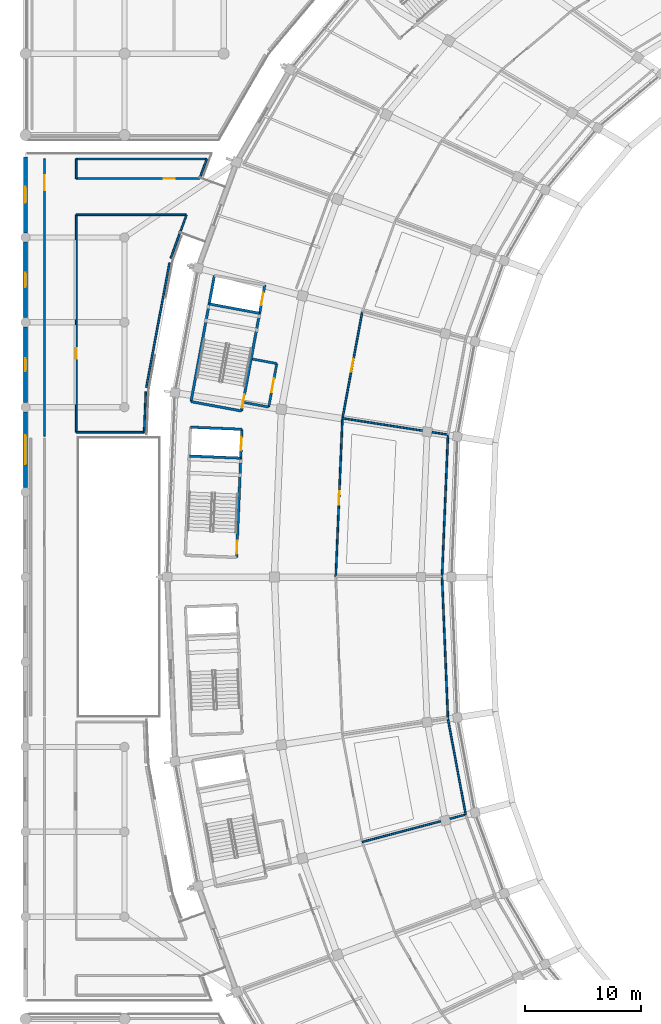
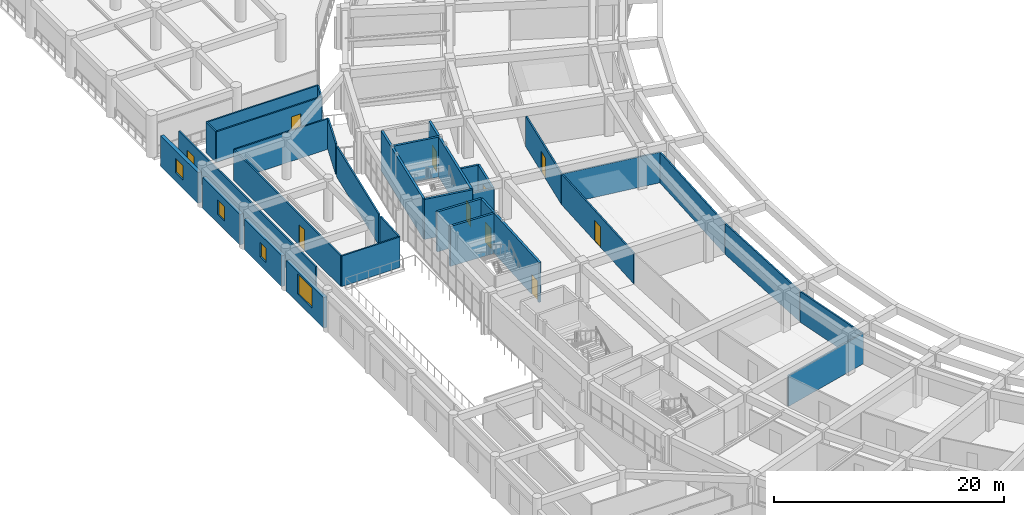
# One storey, part 98 of 145: 32 walls, 10 doors, 4 windows, 14 openings.
"""IFC4 building model written with IfcOpenShell, lengths in metres."""

from ifc_helpers import new_model, si_unit, direction, frame, frame_2d, origin, place, context, subcontext, project, spatial, rectangle, extrude, material, layer, layer_set, type_object, element, fill, save


model = new_model("IFC4")

# Units and contexts
model_context = context("Model", 3, precision=1e-05, world=origin(), true_north=direction((0.0, 1.0)))
body_context = subcontext(model_context, "Body", "Model", "MODEL_VIEW")
ifc_project = project(units=[si_unit("LENGTHUNIT", "METRE"), si_unit("AREAUNIT", "SQUARE_METRE"), si_unit("VOLUMEUNIT", "CUBIC_METRE"), si_unit("PLANEANGLEUNIT", "RADIAN"), si_unit("MASSUNIT", "GRAM", prefix="KILO")], contexts=[model_context])

# Site, building, storey
site_placement = place(None, origin())
site = spatial("IfcSite", under=ifc_project, at=site_placement, CompositionType="ELEMENT")
building_placement = place(site_placement, origin())
building = spatial("IfcBuilding", under=site, at=building_placement, Name="Mphavela Belvedere Stadium", CompositionType="ELEMENT")
storey_placement = place(building_placement, frame((0.0, 0.0, 10.199951171875)))
storey = spatial("IfcBuildingStorey", under=building, at=storey_placement, Name="L02", CompositionType="ELEMENT", Elevation=10.199951171875)

# Walls
ifc_material_1 = material(Name="Concrete C40/50", Category="concrete")
ifc_layer_1 = layer(ifc_material_1, 0.219970703125)
ifc_layer_set_1 = layer_set([ifc_layer_1], Name="Concrete C40/50")
wall_type_1 = type_object("IfcWallType", Name="WAL-CORE-SHEAR-220", PredefinedType="SHEAR", material=ifc_layer_set_1)
wall_1_placement = place(storey_placement, frame((14.228271484375, 102.085205078125, 0.0), z_axis=(0.0, 0.0, 1.0), x_axis=(0.182574755222, 0.983191974517, 0.0)))
element("IfcWall", 1, at=wall_1_placement, inside=storey, type_object=wall_type_1, Name="Core C06 shear wall L02 rear", PredefinedType="SHEAR", context=body_context, shape_type="SweptSolid", body=[
    extrude(rectangle(XDim=11.02001953125, YDim=0.219970703125, at=frame_2d((5.510009765625, 0.0))), origin(), (0.0, 0.0, 1.0), 4.25),
])
wall_2_placement = place(storey_placement, frame((18.56396484375, 101.27978515625, 0.0), z_axis=(0.0, 0.0, 1.0), x_axis=(-0.983179789985, 0.182640358532, 0.0)))
element("IfcWall", 2, at=wall_2_placement, inside=storey, type_object=wall_type_1, Name="Core C06 shear wall L02 left", PredefinedType="SHEAR", context=body_context, shape_type="SweptSolid", body=[
    extrude(rectangle(XDim=4.409912109375, YDim=0.219970703125, at=frame_2d((2.205078125, 0.0))), origin(), (0.0, 0.0, 1.0), 4.25),
])

# Wall, openings, doors
wall_3_placement = place(storey_placement, frame((18.56396484375, 101.27978515625, 0.0), z_axis=(0.0, 0.0, 1.0), x_axis=(0.182570778451, 0.983192712979, 0.0)))
wall_3 = element("IfcWall", 3, at=wall_3_placement, inside=storey, type_object=wall_type_1, Name="Core C06 shear wall L02 front", PredefinedType="SHEAR", context=body_context, shape_type="SweptSolid", body=[
    extrude(rectangle(XDim=11.020263671875, YDim=0.219970703125, at=frame_2d((5.51025390625, 0.0))), origin(), (0.0, 0.0, 1.0), 4.25),
])
opening_1_placement = place(wall_3_placement, frame((0.300048828125, 0.0, 0.0)))
opening_1 = element("IfcOpeningElement", 4, at=opening_1_placement, cuts=wall_3, Name="Opening SD-029", PredefinedType="OPENING", context=body_context, shape_type="SweptSolid", body=[
    extrude(rectangle(XDim=1.14990234375, YDim=2.14990234375, at=frame_2d((0.574951171875, 1.074951171875))), frame((0.0, 0.1201171875, 0.0), z_axis=(0.0, -1.0, 0.0), x_axis=(1.0, 0.0, 0.0)), (0.0, 0.0, 1.0), 0.239990234375),
])
opening_2_placement = place(wall_3_placement, frame((9.22998046875, 0.0, 0.0)))
opening_2 = element("IfcOpeningElement", 5, at=opening_2_placement, cuts=wall_3, Name="Opening LD-029", PredefinedType="OPENING", context=body_context, shape_type="SweptSolid", body=[
    extrude(rectangle(XDim=1.10009765625, YDim=2.14990234375, at=frame_2d((0.550048828125, 1.074951171875))), frame((0.0, 0.1201171875, 0.0), z_axis=(0.0, -1.0, 0.0), x_axis=(1.0, 0.0, 0.0)), (0.0, 0.0, 1.0), 0.239990234375),
])
ifc_material_2 = material(Name="Stainless steel center-parting lift landing door", Category="steel")
door_type_1 = type_object("IfcDoorType", Name="DR-LIFT-SLIDE-1100", OperationType="NOTDEFINED", PredefinedType="DOOR", material=ifc_material_2)
door_1_placement = place(opening_2_placement, origin())
door_1 = element("IfcDoor", 6, at=door_1_placement, inside=storey, type_object=door_type_1, Name="Lift landing sliding door FL03 L02", OperationType="DOUBLE_DOOR_SLIDING", OverallHeight=2.14990234375, OverallWidth=1.10009765625, PredefinedType="DOOR", context=body_context, shape_type="SweptSolid", body=[
    extrude(rectangle(XDim=1.10009765625, YDim=2.14990234375, at=frame_2d((0.550048828125, 1.074951171875))), frame((0.0, 0.02490234375, 0.0), z_axis=(0.0, -1.0, 0.0), x_axis=(1.0, 0.0, 0.0)), (0.0, 0.0, 1.0), 0.050048828125),
])
fill(opening_2, door_1)
ifc_material_3 = material(Name="Steel acoustic fire-resisting stair doorset", Category="steel")
door_type_2 = type_object("IfcDoorType", Name="DR-STAIR-FIRE-1150", OperationType="NOTDEFINED", PredefinedType="DOOR", material=ifc_material_3)
door_2_placement = place(opening_1_placement, origin())
door_2 = element("IfcDoor", 7, at=door_2_placement, inside=storey, type_object=door_type_2, Name="Escape stair fire door C06 L02", OperationType="SINGLE_SWING_LEFT", OverallHeight=2.14990234375, OverallWidth=1.14990234375, PredefinedType="DOOR", context=body_context, shape_type="SweptSolid", body=[
    extrude(rectangle(XDim=1.14990234375, YDim=2.14990234375, at=frame_2d((0.574951171875, 1.074951171875))), frame((0.0, 0.02490234375, 0.0), z_axis=(0.0, -1.0, 0.0), x_axis=(1.0, 0.0, 0.0)), (0.0, 0.0, 1.0), 0.050048828125),
])
fill(opening_1, door_2)

# Walls
for number, where, z_axis, x_axis, name in (
    (8, (20.123291015625, 109.676513671875, 0.0), (0.0, 0.0, 1.0), (-0.983201511677, 0.182523388739, 0.0), "Core C06 shear wall L02 div"),
    (9, (18.60498046875, 99.701171875, 0.0), (0.0, 0.0, 1.0), (-0.999123741114, 0.041853911912, 0.0), "Core C07 shear wall L02 right"),
):
    element("IfcWall", number, at=place(storey_placement, frame(where, z_axis=z_axis, x_axis=x_axis)), inside=storey, type_object=wall_type_1, Name=name, PredefinedType="SHEAR", context=body_context, shape_type="SweptSolid", body=[
        extrude(rectangle(XDim=4.409912109375, YDim=0.219970703125, at=frame_2d((2.205078125, 0.0))), origin(), (0.0, 0.0, 1.0), 4.25),
    ])

# Wall, openings, doors
wall_4_placement = place(storey_placement, frame((18.143798828125, 88.69091796875, 0.0), z_axis=(0.0, 0.0, 1.0), x_axis=(0.0418498618, 0.999123910768, 0.0)))
wall_4 = element("IfcWall", 10, at=wall_4_placement, inside=storey, type_object=wall_type_1, Name="Core C07 shear wall L02 front", PredefinedType="SHEAR", context=body_context, shape_type="SweptSolid", body=[
    extrude(rectangle(XDim=11.02001953125, YDim=0.219970703125, at=frame_2d((5.510009765625, 0.0))), origin(), (0.0, 0.0, 1.0), 4.25),
])
opening_3_placement = place(wall_4_placement, frame((0.300048828125, 0.0, 0.0)))
opening_3 = element("IfcOpeningElement", 11, at=opening_3_placement, cuts=wall_4, Name="Opening SD-035", PredefinedType="OPENING", context=body_context, shape_type="SweptSolid", body=[
    extrude(rectangle(XDim=1.14990234375, YDim=2.14990234375, at=frame_2d((0.574951171875, 1.074951171875))), frame((0.0, 0.1201171875, 0.0), z_axis=(0.0, -1.0, 0.0), x_axis=(1.0, 0.0, 0.0)), (0.0, 0.0, 1.0), 0.239990234375),
])
opening_4_placement = place(wall_4_placement, frame((9.22998046875, 0.0, 0.0)))
opening_4 = element("IfcOpeningElement", 12, at=opening_4_placement, cuts=wall_4, Name="Opening LD-035", PredefinedType="OPENING", context=body_context, shape_type="SweptSolid", body=[
    extrude(rectangle(XDim=1.10009765625, YDim=2.14990234375, at=frame_2d((0.550048828125, 1.074951171875))), frame((0.0, 0.1201171875, 0.0), z_axis=(0.0, -1.0, 0.0), x_axis=(1.0, 0.0, 0.0)), (0.0, 0.0, 1.0), 0.239990234375),
])
door_3_placement = place(opening_4_placement, origin())
door_3 = element("IfcDoor", 13, at=door_3_placement, inside=storey, type_object=door_type_1, Name="Lift landing sliding door PL03 L02", OperationType="DOUBLE_DOOR_SLIDING", OverallHeight=2.14990234375, OverallWidth=1.10009765625, PredefinedType="DOOR", context=body_context, shape_type="SweptSolid", body=[
    extrude(rectangle(XDim=1.10009765625, YDim=2.14990234375, at=frame_2d((0.550048828125, 1.074951171875))), frame((0.0, 0.02490234375, 0.0), z_axis=(0.0, -1.0, 0.0), x_axis=(1.0, 0.0, 0.0)), (0.0, 0.0, 1.0), 0.050048828125),
])
fill(opening_4, door_3)
door_4_placement = place(opening_3_placement, origin())
door_4 = element("IfcDoor", 14, at=door_4_placement, inside=storey, type_object=door_type_2, Name="Escape stair fire door C07 L02", OperationType="SINGLE_SWING_LEFT", OverallHeight=2.14990234375, OverallWidth=1.14990234375, PredefinedType="DOOR", context=body_context, shape_type="SweptSolid", body=[
    extrude(rectangle(XDim=1.14990234375, YDim=2.14990234375, at=frame_2d((0.574951171875, 1.074951171875))), frame((0.0, 0.02490234375, 0.0), z_axis=(0.0, -1.0, 0.0), x_axis=(1.0, 0.0, 0.0)), (0.0, 0.0, 1.0), 0.050048828125),
])
fill(opening_3, door_4)

# Wall
wall_5_placement = place(storey_placement, frame((18.501220703125, 97.223388671875, 0.0), z_axis=(0.0, 0.0, 1.0), x_axis=(-0.999123741114, 0.041853911912, 0.0)))
element("IfcWall", 15, at=wall_5_placement, inside=storey, type_object=wall_type_1, Name="Core C07 shear wall L02 div", PredefinedType="SHEAR", context=body_context, shape_type="SweptSolid", body=[
    extrude(rectangle(XDim=4.409912109375, YDim=0.219970703125, at=frame_2d((2.205078125, 0.0))), origin(), (0.0, 0.0, 1.0), 4.25),
])

# Wall, opening, window
ifc_material_4 = material(Name="Honed ashlar limestone masonry", Category="masonry")
ifc_layer_2 = layer(ifc_material_4, 0.35009765625)
ifc_layer_set_2 = layer_set([ifc_layer_2], Name="Honed ashlar limestone masonry")
wall_type_2 = type_object("IfcWallType", Name="WAL-EXT-ASHLAR-350", PredefinedType="STANDARD", material=ifc_layer_set_2)
wall_6_placement = place(storey_placement, frame((0.0, 94.697998046875, 0.0), z_axis=(0.0, 0.0, 1.0), x_axis=(0.0, 1.0, 0.0)))
wall_6 = element("IfcWall", 16, at=wall_6_placement, inside=storey, type_object=wall_type_2, Name="West Planted Eaves Peristyle Colonnade outer facade bay L02-07", PredefinedType="STANDARD", context=body_context, shape_type="SweptSolid", body=[
    extrude(rectangle(XDim=6.50390625, YDim=0.35009765625, at=frame_2d((3.251953125, 0.0))), origin(), (0.0, 0.0, 1.0), 3.260009765625),
])
opening_5_placement = place(wall_6_placement, frame((1.991943359375, 0.0, 0.89990234375)))
opening_5 = element("IfcOpeningElement", 17, at=opening_5_placement, cuts=wall_6, Name="Opening W-264", PredefinedType="OPENING", context=body_context, shape_type="SweptSolid", body=[
    extrude(rectangle(XDim=2.52001953125, YDim=2.14990234375, at=frame_2d((1.260009765625, 1.074951171875))), frame((0.0, 0.18505859375, 0.0), z_axis=(0.0, -1.0, 0.0), x_axis=(1.0, 0.0, 0.0)), (0.0, 0.0, 1.0), 0.3701171875),
])
ifc_material_5 = material(Name="Bronze-anodised thermally broken aluminium window", Category="aluminium")
window_type_1 = type_object("IfcWindowType", Name="WIN-EXT-44", PartitioningType="SINGLE_PANEL", PredefinedType="WINDOW", material=ifc_material_5)
window_1_placement = place(opening_5_placement, origin())
window_1 = element("IfcWindow", 18, at=window_1_placement, inside=storey, type_object=window_type_1, Name="West Planted Eaves Peristyle Colonnade classical window W-264", OverallHeight=2.14990234375, OverallWidth=2.52001953125, PartitioningType="SINGLE_PANEL", PredefinedType="WINDOW", context=body_context, shape_type="SweptSolid", body=[
    extrude(rectangle(XDim=2.52001953125, YDim=2.14990234375, at=frame_2d((1.260009765625, 1.074951171875))), frame((0.0, 0.030029296875, 0.0), z_axis=(0.0, -1.0, 0.0), x_axis=(1.0, 0.0, 0.0)), (0.0, 0.0, 1.0), 0.06005859375),
])
fill(opening_5, window_1)

wall_7_placement = place(storey_placement, frame((0.0, 101.998046875, 0.0), z_axis=(0.0, 0.0, 1.0), x_axis=(0.0, 1.0, 0.0)))
wall_7 = element("IfcWall", 19, at=wall_7_placement, inside=storey, type_object=wall_type_2, Name="West Planted Eaves Peristyle Colonnade outer facade bay L02-08", PredefinedType="STANDARD", context=body_context, shape_type="SweptSolid", body=[
    extrude(rectangle(XDim=6.50390625, YDim=0.35009765625, at=frame_2d((3.251953125, 0.0))), origin(), (0.0, 0.0, 1.0), 3.260009765625),
])
opening_6_placement = place(wall_7_placement, frame((2.701904296875, 0.0, 0.89990234375)))
opening_6 = element("IfcOpeningElement", 20, at=opening_6_placement, cuts=wall_7, Name="Opening W-265", PredefinedType="OPENING", context=body_context, shape_type="SweptSolid", body=[
    extrude(rectangle(XDim=1.10009765625, YDim=1.550048828125, at=frame_2d((0.550048828125, 0.77490234375))), frame((0.0, 0.18505859375, 0.0), z_axis=(0.0, -1.0, 0.0), x_axis=(1.0, 0.0, 0.0)), (0.0, 0.0, 1.0), 0.3701171875),
])
ifc_material_6 = material(Name="Bronze-anodised thermally broken aluminium window", Category="aluminium")
window_type_2 = type_object("IfcWindowType", Name="WIN-EXT-01", PartitioningType="SINGLE_PANEL", PredefinedType="WINDOW", material=ifc_material_6)
window_2_placement = place(opening_6_placement, origin())
window_2 = element("IfcWindow", 21, at=window_2_placement, inside=storey, type_object=window_type_2, Name="West Planted Eaves Peristyle Colonnade classical window W-265", OverallHeight=1.550048828125, OverallWidth=1.10009765625, PartitioningType="SINGLE_PANEL", PredefinedType="WINDOW", context=body_context, shape_type="SweptSolid", body=[
    extrude(rectangle(XDim=1.10009765625, YDim=1.550048828125, at=frame_2d((0.550048828125, 0.77490234375))), frame((0.0, 0.030029296875, 0.0), z_axis=(0.0, -1.0, 0.0), x_axis=(1.0, 0.0, 0.0)), (0.0, 0.0, 1.0), 0.06005859375),
])
fill(opening_6, window_2)

wall_8_placement = place(storey_placement, frame((0.0, 109.298095703125, 0.0), z_axis=(0.0, 0.0, 1.0), x_axis=(0.0, 1.0, 0.0)))
wall_8 = element("IfcWall", 22, at=wall_8_placement, inside=storey, type_object=wall_type_2, Name="West Planted Eaves Peristyle Colonnade outer facade bay L02-09", PredefinedType="STANDARD", context=body_context, shape_type="SweptSolid", body=[
    extrude(rectangle(XDim=6.50390625, YDim=0.35009765625, at=frame_2d((3.251953125, 0.0))), origin(), (0.0, 0.0, 1.0), 3.260009765625),
])
opening_7_placement = place(wall_8_placement, frame((2.632080078125, 0.0, 0.89990234375)))
opening_7 = element("IfcOpeningElement", 23, at=opening_7_placement, cuts=wall_8, Name="Opening W-266", PredefinedType="OPENING", context=body_context, shape_type="SweptSolid", body=[
    extrude(rectangle(XDim=1.239990234375, YDim=1.550048828125, at=frame_2d((0.6201171875, 0.77490234375))), frame((0.0, 0.18505859375, 0.0), z_axis=(0.0, -1.0, 0.0), x_axis=(1.0, 0.0, 0.0)), (0.0, 0.0, 1.0), 0.3701171875),
])
ifc_material_7 = material(Name="Bronze-anodised thermally broken aluminium window", Category="aluminium")
window_type_3 = type_object("IfcWindowType", Name="WIN-EXT-02", PartitioningType="SINGLE_PANEL", PredefinedType="WINDOW", material=ifc_material_7)
window_3_placement = place(opening_7_placement, origin())
window_3 = element("IfcWindow", 24, at=window_3_placement, inside=storey, type_object=window_type_3, Name="West Planted Eaves Peristyle Colonnade classical window W-266", OverallHeight=1.550048828125, OverallWidth=1.239990234375, PartitioningType="SINGLE_PANEL", PredefinedType="WINDOW", context=body_context, shape_type="SweptSolid", body=[
    extrude(rectangle(XDim=1.239990234375, YDim=1.550048828125, at=frame_2d((0.6201171875, 0.77490234375))), frame((0.0, 0.030029296875, 0.0), z_axis=(0.0, -1.0, 0.0), x_axis=(1.0, 0.0, 0.0)), (0.0, 0.0, 1.0), 0.06005859375),
])
fill(opening_7, window_3)

wall_9_placement = place(storey_placement, frame((0.0, 116.597900390625, 0.0), z_axis=(0.0, 0.0, 1.0), x_axis=(0.0, 1.0, 0.0)))
wall_9 = element("IfcWall", 25, at=wall_9_placement, inside=storey, type_object=wall_type_2, Name="West Planted Eaves Peristyle Colonnade outer facade bay L02-10", PredefinedType="STANDARD", context=body_context, shape_type="SweptSolid", body=[
    extrude(rectangle(XDim=6.504150390625, YDim=0.35009765625, at=frame_2d((3.251953125, 0.0))), origin(), (0.0, 0.0, 1.0), 3.260009765625),
])
opening_8_placement = place(wall_9_placement, frame((2.56201171875, 0.0, 0.89990234375)))
opening_8 = element("IfcOpeningElement", 26, at=opening_8_placement, cuts=wall_9, Name="Opening W-267", PredefinedType="OPENING", context=body_context, shape_type="SweptSolid", body=[
    extrude(rectangle(XDim=1.3798828125, YDim=1.550048828125, at=frame_2d((0.68994140625, 0.77490234375))), frame((0.0, 0.18505859375, 0.0), z_axis=(0.0, -1.0, 0.0), x_axis=(1.0, 0.0, 0.0)), (0.0, 0.0, 1.0), 0.3701171875),
])
ifc_material_8 = material(Name="Bronze-anodised thermally broken aluminium window", Category="aluminium")
window_type_4 = type_object("IfcWindowType", Name="WIN-EXT-03", PartitioningType="SINGLE_PANEL", PredefinedType="WINDOW", material=ifc_material_8)
window_4_placement = place(opening_8_placement, origin())
window_4 = element("IfcWindow", 27, at=window_4_placement, inside=storey, type_object=window_type_4, Name="West Planted Eaves Peristyle Colonnade classical window W-267", OverallHeight=1.550048828125, OverallWidth=1.3798828125, PartitioningType="SINGLE_PANEL", PredefinedType="WINDOW", context=body_context, shape_type="SweptSolid", body=[
    extrude(rectangle(XDim=1.3798828125, YDim=1.550048828125, at=frame_2d((0.68994140625, 0.77490234375))), frame((0.0, 0.030029296875, 0.0), z_axis=(0.0, -1.0, 0.0), x_axis=(1.0, 0.0, 0.0)), (0.0, 0.0, 1.0), 0.06005859375),
])
fill(opening_8, window_4)

# Wall, opening, door
ifc_material_9 = material(Name="Acoustic gypsum stud partition assembly")
ifc_layer_3 = layer(ifc_material_9, 0.14990234375)
ifc_layer_set_3 = layer_set([ifc_layer_3], Name="Acoustic gypsum stud partition assembly")
wall_type_3 = type_object("IfcWallType", Name="WAL-PART-150", PredefinedType="PARTITIONING", material=ifc_layer_set_3)
wall_10_placement = place(storey_placement, frame((27.251220703125, 100.65087890625, 0.0), z_axis=(0.0, 0.0, 1.0), x_axis=(0.182600545941, 0.983187184936, 0.0)))
wall_10 = element("IfcWall", 28, at=wall_10_placement, inside=storey, type_object=wall_type_3, Name="Room L02-92 corridor partition", PredefinedType="PARTITIONING", context=body_context, shape_type="SweptSolid", body=[
    extrude(rectangle(XDim=9.2841796875, YDim=0.14990234375, at=frame_2d((4.64208984375, 0.0))), origin(), (0.0, 0.0, 1.0), 3.25),
])
opening_9_placement = place(wall_10_placement, frame((4.072021484375, 0.0, 0.0)))
opening_9 = element("IfcOpeningElement", 29, at=opening_9_placement, cuts=wall_10, Name="Opening ID-199", PredefinedType="OPENING", context=body_context, shape_type="SweptSolid", body=[
    extrude(rectangle(XDim=1.139892578125, YDim=2.199951171875, at=frame_2d((0.56982421875, 1.10009765625))), frame((0.0, 0.0849609375, 0.0), z_axis=(0.0, -1.0, 0.0), x_axis=(1.0, 0.0, 0.0)), (0.0, 0.0, 1.0), 0.169921875),
])
ifc_material_10 = material(Name="Hardwood acoustic timber doorset", Category="wood")
door_type_3 = type_object("IfcDoorType", Name="DR-INT-19", OperationType="NOTDEFINED", PredefinedType="DOOR", material=ifc_material_10)
door_5_placement = place(opening_9_placement, origin())
door_5 = element("IfcDoor", 30, at=door_5_placement, inside=storey, type_object=door_type_3, Name="Room L02-92 entrance door ID-199", OperationType="SINGLE_SWING_LEFT", OverallHeight=2.199951171875, OverallWidth=1.139892578125, PredefinedType="DOOR", context=body_context, shape_type="SweptSolid", body=[
    extrude(rectangle(XDim=1.139892578125, YDim=2.199951171875, at=frame_2d((0.56982421875, 1.10009765625))), frame((0.0, 0.02490234375, 0.0), z_axis=(0.0, -1.0, 0.0), x_axis=(1.0, 0.0, 0.0)), (0.0, 0.0, 1.0), 0.050048828125),
])
fill(opening_9, door_5)

wall_11_placement = place(storey_placement, frame((26.6748046875, 87.0400390625, 0.0), z_axis=(0.0, 0.0, 1.0), x_axis=(0.041894479342, 0.999122040894, 0.0)))
wall_11 = element("IfcWall", 31, at=wall_11_placement, inside=storey, type_object=wall_type_3, Name="Room L02-94 corridor partition", PredefinedType="PARTITIONING", context=body_context, shape_type="SweptSolid", body=[
    extrude(rectangle(XDim=13.543212890625, YDim=0.14990234375, at=frame_2d((6.771484375, 0.0))), origin(), (0.0, 0.0, 1.0), 3.25),
])
opening_10_placement = place(wall_11_placement, frame((6.181640625, 0.0, 0.0)))
opening_10 = element("IfcOpeningElement", 32, at=opening_10_placement, cuts=wall_11, Name="Opening ID-200", PredefinedType="OPENING", context=body_context, shape_type="SweptSolid", body=[
    extrude(rectangle(XDim=1.179931640625, YDim=2.199951171875, at=frame_2d((0.58984375, 1.10009765625))), frame((0.0, 0.0849609375, 0.0), z_axis=(0.0, -1.0, 0.0), x_axis=(1.0, 0.0, 0.0)), (0.0, 0.0, 1.0), 0.169921875),
])
ifc_material_11 = material(Name="Hardwood acoustic timber doorset", Category="wood")
door_type_4 = type_object("IfcDoorType", Name="DR-INT-20", OperationType="NOTDEFINED", PredefinedType="DOOR", material=ifc_material_11)
door_6_placement = place(opening_10_placement, origin())
door_6 = element("IfcDoor", 33, at=door_6_placement, inside=storey, type_object=door_type_4, Name="Room L02-94 entrance door ID-200", OperationType="SINGLE_SWING_RIGHT", OverallHeight=2.199951171875, OverallWidth=1.179931640625, PredefinedType="DOOR", context=body_context, shape_type="SweptSolid", body=[
    extrude(rectangle(XDim=1.179931640625, YDim=2.199951171875, at=frame_2d((0.58984375, 1.10009765625))), frame((0.0, 0.02490234375, 0.0), z_axis=(0.0, -1.0, 0.0), x_axis=(1.0, 0.0, 0.0)), (0.0, 0.0, 1.0), 0.050048828125),
])
fill(opening_10, door_6)

wall_12_placement = place(storey_placement, frame((1.639892578125, 122.949951171875, 0.0), z_axis=(0.0, 0.0, 1.0), x_axis=(0.0, -1.0, 0.0)))
wall_12 = element("IfcWall", 34, at=wall_12_placement, inside=storey, type_object=wall_type_3, Name="Room L02-191 corridor partition", PredefinedType="PARTITIONING", context=body_context, shape_type="SweptSolid", body=[
    extrude(rectangle(XDim=23.833251953125, YDim=0.14990234375, at=frame_2d((11.91650390625, 0.0))), origin(), (0.0, 0.0, 1.0), 3.25),
])
opening_11_placement = place(wall_12_placement, frame((1.416748046875, 0.0, 0.0)))
opening_11 = element("IfcOpeningElement", 35, at=opening_11_placement, cuts=wall_12, Name="Opening ID-514", PredefinedType="OPENING", context=body_context, shape_type="SweptSolid", body=[
    extrude(rectangle(XDim=1.260009765625, YDim=2.10009765625, at=frame_2d((0.6298828125, 1.050048828125))), frame((0.0, 0.0849609375, 0.0), z_axis=(0.0, -1.0, 0.0), x_axis=(1.0, 0.0, 0.0)), (0.0, 0.0, 1.0), 0.169921875),
])
ifc_material_12 = material(Name="Hardwood acoustic timber doorset", Category="wood")
door_type_5 = type_object("IfcDoorType", Name="DR-INT-10", OperationType="NOTDEFINED", PredefinedType="DOOR", material=ifc_material_12)
door_7_placement = place(opening_11_placement, origin())
door_7 = element("IfcDoor", 36, at=door_7_placement, inside=storey, type_object=door_type_5, Name="Room L02-191 entrance door ID-514", OperationType="SINGLE_SWING_RIGHT", OverallHeight=2.10009765625, OverallWidth=1.260009765625, PredefinedType="DOOR", context=body_context, shape_type="SweptSolid", body=[
    extrude(rectangle(XDim=1.260009765625, YDim=2.10009765625, at=frame_2d((0.6298828125, 1.050048828125))), frame((0.0, 0.02490234375, 0.0), z_axis=(0.0, -1.0, 0.0), x_axis=(1.0, 0.0, 0.0)), (0.0, 0.0, 1.0), 0.050048828125),
])
fill(opening_11, door_7)

wall_13_placement = place(storey_placement, frame((4.360107421875, 99.449951171875, 0.0), z_axis=(0.0, 0.0, 1.0), x_axis=(0.0, 1.0, 0.0)))
wall_13 = element("IfcWall", 37, at=wall_13_placement, inside=storey, type_object=wall_type_3, Name="Room L02-194 corridor partition", PredefinedType="PARTITIONING", context=body_context, shape_type="SweptSolid", body=[
    extrude(rectangle(XDim=18.68994140625, YDim=0.14990234375, at=frame_2d((9.344970703125, 0.0))), origin(), (0.0, 0.0, 1.0), 3.25),
])
opening_12_placement = place(wall_13_placement, frame((6.322509765625, 0.0, 0.0)))
opening_12 = element("IfcOpeningElement", 38, at=opening_12_placement, cuts=wall_13, Name="Opening ID-517", PredefinedType="OPENING", context=body_context, shape_type="SweptSolid", body=[
    extrude(rectangle(XDim=0.89990234375, YDim=2.199951171875, at=frame_2d((0.449951171875, 1.10009765625))), frame((0.0, 0.0849609375, 0.0), z_axis=(0.0, -1.0, 0.0), x_axis=(1.0, 0.0, 0.0)), (0.0, 0.0, 1.0), 0.169921875),
])
ifc_material_13 = material(Name="Hardwood acoustic timber doorset", Category="wood")
door_type_6 = type_object("IfcDoorType", Name="DR-INT-13", OperationType="NOTDEFINED", PredefinedType="DOOR", material=ifc_material_13)
door_8_placement = place(opening_12_placement, origin())
door_8 = element("IfcDoor", 39, at=door_8_placement, inside=storey, type_object=door_type_6, Name="Room L02-194 entrance door ID-517", OperationType="SINGLE_SWING_LEFT", OverallHeight=2.199951171875, OverallWidth=0.89990234375, PredefinedType="DOOR", context=body_context, shape_type="SweptSolid", body=[
    extrude(rectangle(XDim=0.89990234375, YDim=2.199951171875, at=frame_2d((0.449951171875, 1.10009765625))), frame((0.0, 0.02490234375, 0.0), z_axis=(0.0, -1.0, 0.0), x_axis=(1.0, 0.0, 0.0)), (0.0, 0.0, 1.0), 0.050048828125),
])
fill(opening_12, door_8)

wall_14_placement = place(storey_placement, frame((14.968505859375, 121.260009765625, 0.0), z_axis=(0.0, 0.0, 1.0), x_axis=(-1.0, 0.0, 0.0)))
wall_14 = element("IfcWall", 40, at=wall_14_placement, inside=storey, type_object=wall_type_3, Name="Room L02-195 corridor partition", PredefinedType="PARTITIONING", context=body_context, shape_type="SweptSolid", body=[
    extrude(rectangle(XDim=10.6083984375, YDim=0.14990234375, at=frame_2d((5.30419921875, 0.0))), origin(), (0.0, 0.0, 1.0), 3.25),
])
opening_13_placement = place(wall_14_placement, frame((2.125732421875, 0.0, 0.0)))
opening_13 = element("IfcOpeningElement", 41, at=opening_13_placement, cuts=wall_14, Name="Opening ID-518", PredefinedType="OPENING", context=body_context, shape_type="SweptSolid", body=[
    extrude(rectangle(XDim=0.93994140625, YDim=2.199951171875, at=frame_2d((0.469970703125, 1.10009765625))), frame((0.0, 0.0849609375, 0.0), z_axis=(0.0, -1.0, 0.0), x_axis=(1.0, 0.0, 0.0)), (0.0, 0.0, 1.0), 0.169921875),
])
ifc_material_14 = material(Name="Hardwood acoustic timber doorset", Category="wood")
door_type_7 = type_object("IfcDoorType", Name="DR-INT-14", OperationType="NOTDEFINED", PredefinedType="DOOR", material=ifc_material_14)
door_9_placement = place(opening_13_placement, origin())
door_9 = element("IfcDoor", 42, at=door_9_placement, inside=storey, type_object=door_type_7, Name="Room L02-195 entrance door ID-518", OperationType="SINGLE_SWING_RIGHT", OverallHeight=2.199951171875, OverallWidth=0.93994140625, PredefinedType="DOOR", context=body_context, shape_type="SweptSolid", body=[
    extrude(rectangle(XDim=0.93994140625, YDim=2.199951171875, at=frame_2d((0.469970703125, 1.10009765625))), frame((0.0, 0.02490234375, 0.0), z_axis=(0.0, -1.0, 0.0), x_axis=(1.0, 0.0, 0.0)), (0.0, 0.0, 1.0), 0.050048828125),
])
fill(opening_13, door_9)

# Walls
wall_15_placement = place(storey_placement, frame((36.327392578125, 99.2431640625, 0.0), z_axis=(0.0, 0.0, 1.0), x_axis=(-0.988184734008, 0.15326751604, 0.0)))
element("IfcWall", 43, at=wall_15_placement, inside=storey, type_object=wall_type_3, Name="Room divider partition L02-0356", PredefinedType="PARTITIONING", context=body_context, shape_type="SweptSolid", body=[
    extrude(rectangle(XDim=9.1845703125, YDim=0.14990234375, at=frame_2d((4.59228515625, 0.0))), origin(), (0.0, 0.0, 1.0), 3.25),
])
for number, where, z_axis, x_axis, name in (
    (44, (36.318115234375, 99.163818359375, 0.0), (0.0, 0.0, 1.0), (-0.041909219346, -0.999121422718, 0.0), "Room divider partition L02-0357"),
    (45, (35.8095703125, 86.9599609375, 0.0), (0.0, 0.0, 1.0), (0.041909219346, -0.999121422718, 0.0), "Room divider partition L02-0359"),
):
    element("IfcWall", number, at=place(storey_placement, frame(where, z_axis=z_axis, x_axis=x_axis)), inside=storey, type_object=wall_type_3, Name=name, PredefinedType="PARTITIONING", context=body_context, shape_type="SweptSolid", body=[
        extrude(rectangle(XDim=12.134521484375, YDim=0.14990234375, at=frame_2d((6.0673828125, 0.0))), origin(), (0.0, 0.0, 1.0), 3.25),
    ])
wall_16_placement = place(storey_placement, frame((36.327392578125, 74.7568359375, 0.0), z_axis=(0.0, 0.0, 1.0), x_axis=(0.182614898171, -0.983184519287, 0.0)))
element("IfcWall", 46, at=wall_16_placement, inside=storey, type_object=wall_type_3, Name="Room divider partition L02-0361", PredefinedType="PARTITIONING", context=body_context, shape_type="SweptSolid", body=[
    extrude(rectangle(XDim=8.315673828125, YDim=0.14990234375, at=frame_2d((4.15771484375, 0.0))), origin(), (0.0, 0.0, 1.0), 3.25),
])
wall_17_placement = place(storey_placement, frame((37.845947265625, 66.5810546875, 0.0), z_axis=(0.0, 0.0, 1.0), x_axis=(-0.96658744027, -0.256337122383, 0.0)))
element("IfcWall", 47, at=wall_17_placement, inside=storey, type_object=wall_type_3, Name="Room divider partition L02-0362", PredefinedType="PARTITIONING", context=body_context, shape_type="SweptSolid", body=[
    extrude(rectangle(XDim=9.20703125, YDim=0.14990234375, at=frame_2d((4.603515625, 0.0))), origin(), (0.0, 0.0, 1.0), 3.25),
])
wall_18_placement = place(storey_placement, frame((12.37744140625, 114.01904296875, 0.0), z_axis=(0.0, 0.0, 1.0), x_axis=(-0.182620957058, -0.983183393901, 0.0)))
element("IfcWall", 48, at=wall_18_placement, inside=storey, type_object=wall_type_3, Name="Room divider partition L02-1176", PredefinedType="PARTITIONING", context=body_context, shape_type="SweptSolid", body=[
    extrude(rectangle(XDim=10.90087890625, YDim=0.14990234375, at=frame_2d((5.450439453125, 0.0))), origin(), (0.0, 0.0, 1.0), 3.25),
])
wall_19_placement = place(storey_placement, frame((10.3466796875, 102.94970703125, 0.0), z_axis=(0.0, 0.0, 1.0), x_axis=(-0.041888559174, -0.999122289117, 0.0)))
element("IfcWall", 49, at=wall_19_placement, inside=storey, type_object=wall_type_3, Name="Room divider partition L02-1177", PredefinedType="PARTITIONING", context=body_context, shape_type="SweptSolid", body=[
    extrude(rectangle(XDim=3.5029296875, YDim=0.14990234375, at=frame_2d((1.75146484375, 0.0))), origin(), (0.0, 0.0, 1.0), 3.25),
])
wall_20_placement = place(storey_placement, frame((10.199951171875, 99.449951171875, 0.0), z_axis=(0.0, 0.0, 1.0), x_axis=(-1.0, 0.0, 0.0)))
element("IfcWall", 50, at=wall_20_placement, inside=storey, type_object=wall_type_3, Name="Room divider partition L02-1178", PredefinedType="PARTITIONING", context=body_context, shape_type="SweptSolid", body=[
    extrude(rectangle(XDim=5.83984375, YDim=0.14990234375, at=frame_2d((2.919921875, 0.0))), origin(), (0.0, 0.0, 1.0), 3.25),
])
wall_21_placement = place(storey_placement, frame((4.360107421875, 118.139892578125, 0.0), z_axis=(0.0, 0.0, 1.0), x_axis=(1.0, 0.0, 0.0)))
element("IfcWall", 51, at=wall_21_placement, inside=storey, type_object=wall_type_3, Name="Room divider partition L02-1179", PredefinedType="PARTITIONING", context=body_context, shape_type="SweptSolid", body=[
    extrude(rectangle(XDim=9.4765625, YDim=0.14990234375, at=frame_2d((4.73828125, 0.0))), origin(), (0.0, 0.0, 1.0), 3.25),
])
wall_22_placement = place(storey_placement, frame((13.836669921875, 118.139892578125, 0.0), z_axis=(0.0, 0.0, 1.0), x_axis=(-0.341035525383, -0.94005040845, 0.0)))
element("IfcWall", 52, at=wall_22_placement, inside=storey, type_object=wall_type_3, Name="Room divider partition L02-1180", PredefinedType="PARTITIONING", context=body_context, shape_type="SweptSolid", body=[
    extrude(rectangle(XDim=3.96240234375, YDim=0.14990234375, at=frame_2d((1.981201171875, 0.0))), origin(), (0.0, 0.0, 1.0), 3.25),
])
wall_23_placement = place(storey_placement, frame((4.360107421875, 122.949951171875, 0.0), z_axis=(0.0, 0.0, 1.0), x_axis=(1.0, 0.0, 0.0)))
element("IfcWall", 53, at=wall_23_placement, inside=storey, type_object=wall_type_3, Name="Room divider partition L02-1181", PredefinedType="PARTITIONING", context=body_context, shape_type="SweptSolid", body=[
    extrude(rectangle(XDim=11.221435546875, YDim=0.14990234375, at=frame_2d((5.61083984375, 0.0))), origin(), (0.0, 0.0, 1.0), 3.25),
])
wall_24_placement = place(storey_placement, frame((15.58154296875, 122.949951171875, 0.0), z_axis=(0.0, 0.0, 1.0), x_axis=(-0.341012375502, -0.940058806541, 0.0)))
element("IfcWall", 54, at=wall_24_placement, inside=storey, type_object=wall_type_3, Name="Room divider partition L02-1182", PredefinedType="PARTITIONING", context=body_context, shape_type="SweptSolid", body=[
    extrude(rectangle(XDim=1.797607421875, YDim=0.14990234375, at=frame_2d((0.89892578125, 0.0))), origin(), (0.0, 0.0, 1.0), 3.25),
])
wall_25_placement = place(storey_placement, frame((4.360107421875, 121.260009765625, 0.0), z_axis=(0.0, 0.0, 1.0), x_axis=(0.0, 1.0, 0.0)))
element("IfcWall", 55, at=wall_25_placement, inside=storey, type_object=wall_type_3, Name="Room divider partition L02-1183", PredefinedType="PARTITIONING", context=body_context, shape_type="SweptSolid", body=[
    extrude(rectangle(XDim=1.68994140625, YDim=0.14990234375, at=frame_2d((0.844970703125, 0.0))), origin(), (0.0, 0.0, 1.0), 3.25),
])

# Wall, opening, door
ifc_material_15 = material(Name="Fire-rated calcium silicate partition assembly")
ifc_layer_4 = layer(ifc_material_15, 0.199951171875)
ifc_layer_set_4 = layer_set([ifc_layer_4], Name="Fire-rated calcium silicate partition assembly")
wall_type_4 = type_object("IfcWallType", Name="WAL-PART-FF-200", PredefinedType="PARTITIONING", material=ifc_layer_set_4)
wall_26_placement = place(storey_placement, frame((20.909912109375, 101.6171875, 0.0), z_axis=(0.0, 0.0, 1.0), x_axis=(0.18258154775, 0.983190713148, 0.0)))
wall_26 = element("IfcWall", 56, at=wall_26_placement, inside=storey, type_object=wall_type_4, Name="Firefighting lobby front wall C06 L02", PredefinedType="PARTITIONING", context=body_context, shape_type="SweptSolid", body=[
    extrude(rectangle(XDim=3.80029296875, YDim=0.199951171875, at=frame_2d((1.900146484375, 0.0))), origin(), (0.0, 0.0, 1.0), 3.35009765625),
])
opening_14_placement = place(wall_26_placement, frame((1.300048828125, 0.0, 0.0)))
opening_14 = element("IfcOpeningElement", 57, at=opening_14_placement, cuts=wall_26, Name="Opening FD-013", PredefinedType="OPENING", context=body_context, shape_type="SweptSolid", body=[
    extrude(rectangle(XDim=1.199951171875, YDim=2.179931640625, at=frame_2d((0.60009765625, 1.08984375))), frame((0.0, 0.10986328125, 0.0), z_axis=(0.0, -1.0, 0.0), x_axis=(1.0, 0.0, 0.0)), (0.0, 0.0, 1.0), 0.219970703125),
])
ifc_material_16 = material(Name="Steel smoke-sealed firefighting lobby doorset", Category="steel")
door_type_8 = type_object("IfcDoorType", Name="DR-FF-LOBBY-1200", OperationType="NOTDEFINED", PredefinedType="DOOR", material=ifc_material_16)
door_10_placement = place(opening_14_placement, origin())
door_10 = element("IfcDoor", 58, at=door_10_placement, inside=storey, type_object=door_type_8, Name="Firefighting lobby door C06 L02", OperationType="SINGLE_SWING_RIGHT", OverallHeight=2.179931640625, OverallWidth=1.199951171875, PredefinedType="DOOR", context=body_context, shape_type="SweptSolid", body=[
    extrude(rectangle(XDim=1.199951171875, YDim=2.179931640625, at=frame_2d((0.60009765625, 1.08984375))), frame((0.0, 0.02490234375, 0.0), z_axis=(0.0, -1.0, 0.0), x_axis=(1.0, 0.0, 0.0)), (0.0, 0.0, 1.0), 0.050048828125),
])
fill(opening_14, door_10)

# Walls
for number, where, z_axis, x_axis, name in (
    (59, (20.909912109375, 101.6171875, 0.0), (0.0, 0.0, 1.0), (-0.983177215189, 0.182654218495, 0.0), "Firefighting lobby side wall L C06 L02"),
    (60, (21.603759765625, 105.353515625, 0.0), (0.0, 0.0, 1.0), (-0.983197891107, 0.182542890641, 0.0), "Firefighting lobby side wall R C06 L02"),
):
    element("IfcWall", number, at=place(storey_placement, frame(where, z_axis=z_axis, x_axis=x_axis)), inside=storey, type_object=wall_type_4, Name=name, PredefinedType="PARTITIONING", context=body_context, shape_type="SweptSolid", body=[
        extrude(rectangle(XDim=2.119873046875, YDim=0.199951171875, at=frame_2d((1.06005859375, 0.0))), origin(), (0.0, 0.0, 1.0), 3.35009765625),
    ])

save(model, "model.ifc")
